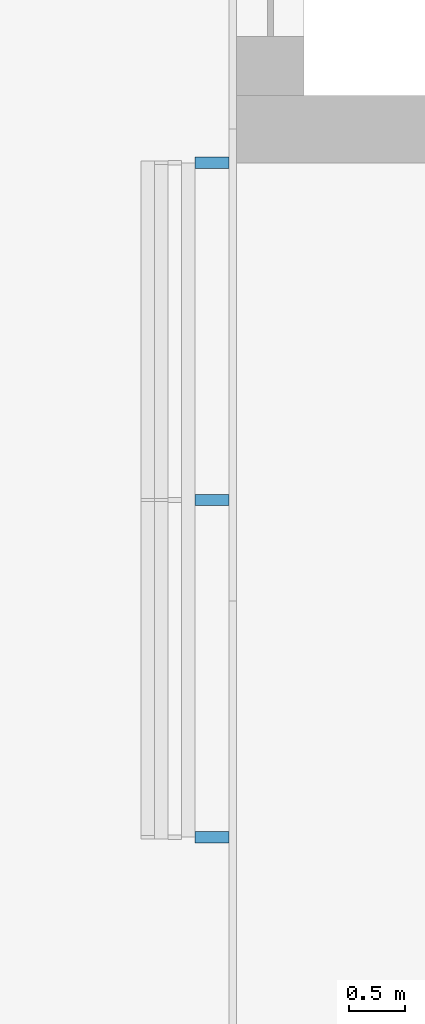
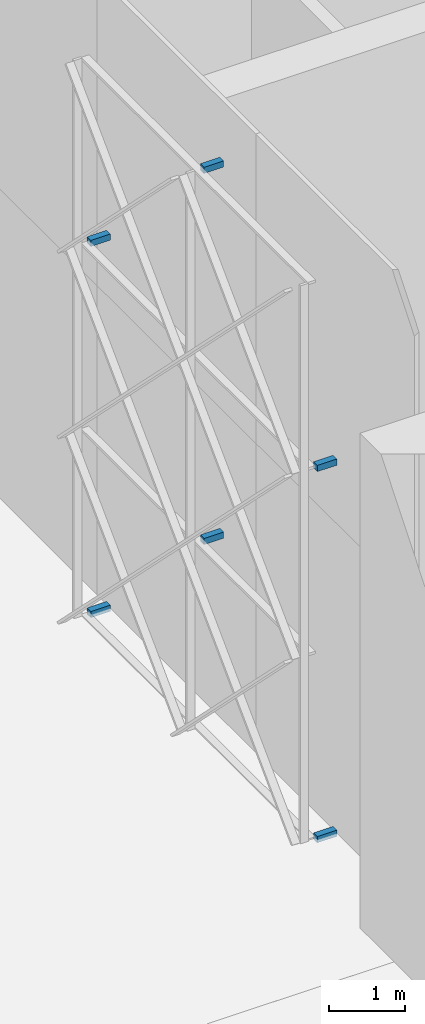
# One storey, part 43 of 64: 6 discrete accessories.
"""IFC4 building model written with IfcOpenShell, lengths in metres."""

from ifc_helpers import new_model, si_unit, direction, frame, origin, origin_2d, place, context, subcontext, project, spatial, rectangle, extrude, element, save


model = new_model("IFC4")

# Units and contexts
model_context = context("Model", 3, precision=1e-05, world=origin(), true_north=direction((0.0, 1.0)))
body_context = subcontext(model_context, "Body", "Model", "MODEL_VIEW")
ifc_project = project(units=[si_unit("LENGTHUNIT", "METRE"), si_unit("AREAUNIT", "SQUARE_METRE"), si_unit("VOLUMEUNIT", "CUBIC_METRE"), si_unit("PLANEANGLEUNIT", "RADIAN"), si_unit("MASSUNIT", "GRAM", prefix="KILO")], contexts=[model_context])

# Site, building, storey
site_placement = place(None, origin())
site = spatial("IfcSite", under=ifc_project, at=site_placement, CompositionType="ELEMENT")
building_placement = place(site_placement, origin())
building = spatial("IfcBuilding", under=site, at=building_placement, Name="Tessera Arch", CompositionType="ELEMENT")
storey_placement = place(building_placement, origin())
storey = spatial("IfcBuildingStorey", under=building, at=storey_placement, Name="L00", CompositionType="ELEMENT", Elevation=0.0)

# Discrete accessories
for number, where, z_axis, x_axis, name in (
    (1, (35.780029296875, 3.0, -0.050048828125), (0.0, 0.0, 1.0), (-1.0, 0.0, 0.0), "Lattice bracket"),
    (2, (35.780029296875, 3.0, 5.949951171875), (0.0, 0.0, 1.0), (-1.0, 0.0, 0.0), "Lattice bracket"),
    (3, (35.780029296875, 6.0, 2.949951171875), (0.0, 0.0, 1.0), (-1.0, 0.0, 0.0), "Lattice bracket"),
    (4, (35.780029296875, 6.0, 8.949951171875), (0.0, 0.0, 1.0), (-1.0, 0.0, 0.0), "Lattice bracket"),
    (5, (35.780029296875, 9.0, -0.050048828125), (0.0, 0.0, 1.0), (-1.0, 0.0, 0.0), "Lattice bracket"),
    (6, (35.780029296875, 9.0, 5.949951171875), (0.0, 0.0, 1.0), (-1.0, 0.0, 0.0), "Lattice bracket"),
):
    element("IfcDiscreteAccessory", number, at=place(storey_placement, frame(where, z_axis=z_axis, x_axis=x_axis)), inside=storey, Name=name, PredefinedType="BRACKET", context=body_context, shape_type="SweptSolid", body=[
        extrude(rectangle(XDim=0.300048828125, YDim=0.10009765625, at=origin_2d()), origin(), (0.0, 0.0, 1.0), 0.10009765625),
    ])

save(model, "model.ifc")
